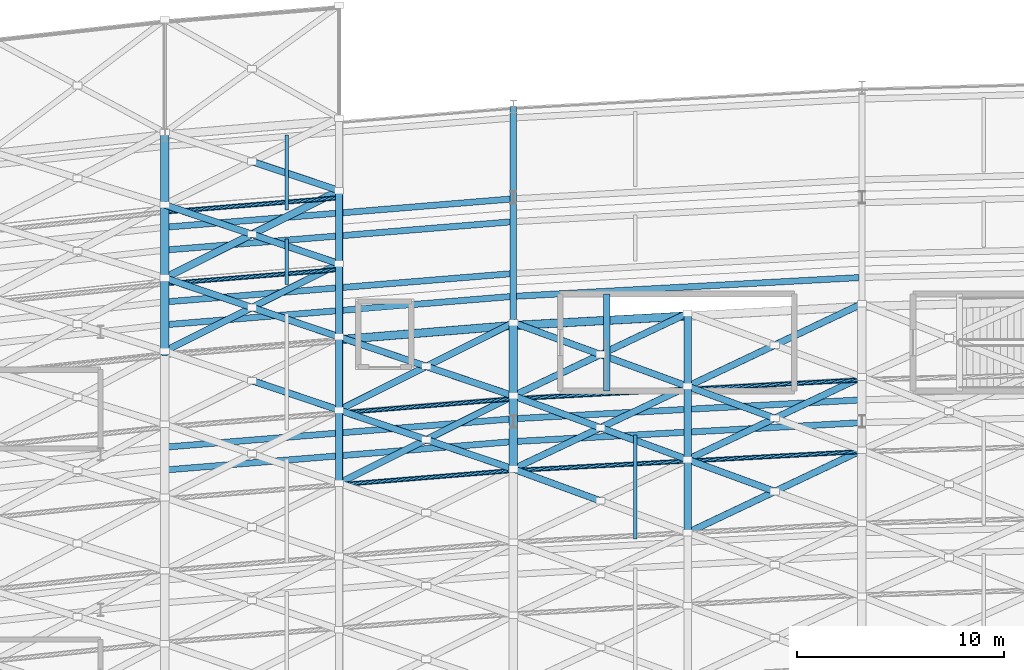
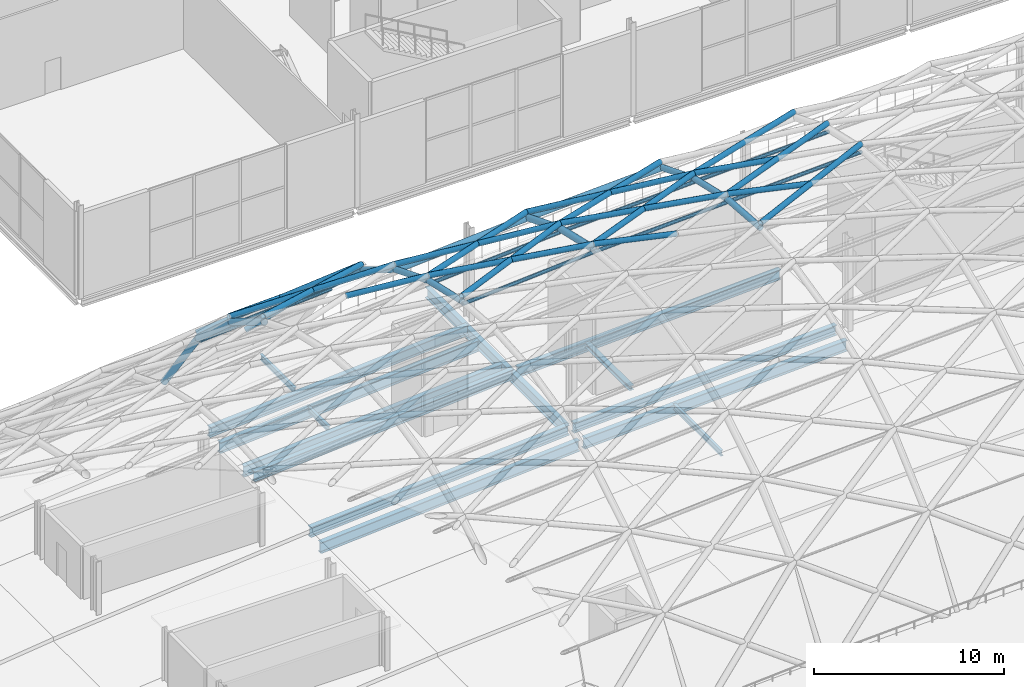
# One storey, part 25 of 100: 48 members, 14 beams.
"""IFC4 building model written with IfcOpenShell, lengths in metres."""

import ifcopenshell
import ifcopenshell.guid

model = None  # the IFC model being written
_history = None  # IfcOwnerHistory: only IFC2X3 demands one
_inside = {}  # id of a spatial element -> (the spatial element, [elements in it])
_under = {}  # id of a project, library or spatial element -> (it, [spatial elements below it])
_declared = {}  # id of a project -> (the project, [libraries it declares])
_typed = {}  # id of a type object -> (the type object, [elements of that type])
_made_of = {}  # id of a material, layer set ... -> (it, [elements and type objects made of it])


def new_model(schema):
    """Start an empty IFC model of exactly this schema.

    Asked for "IFC4X3", IfcOpenShell would pick the latest addendum, in which some entities
    have other attributes; the version numbers below select the first issue.
    IFC2X3 requires an IfcOwnerHistory on every rooted entity: one is made here for all.
    """
    global model, _history
    if schema == "IFC4X3":
        model = ifcopenshell.file(schema_version=(4, 3, 0, 0))
    else:
        model = ifcopenshell.file(schema=schema)
    _inside.clear()
    _under.clear()
    _declared.clear()
    _typed.clear()
    _made_of.clear()
    _history = None
    if model.schema == "IFC2X3":
        org = make("IfcOrganization", Name="unknown")
        user = make(
            "IfcPersonAndOrganization",
            ThePerson=make("IfcPerson", FamilyName="unknown"),
            TheOrganization=org,
        )
        app = make(
            "IfcApplication",
            ApplicationDeveloper=org,
            Version="unknown",
            ApplicationFullName="unknown",
            ApplicationIdentifier="unknown",
        )
        _history = make(
            "IfcOwnerHistory",
            OwningUser=user,
            OwningApplication=app,
            ChangeAction="ADDED",
            CreationDate=0,
        )
    return model


def make(cls, **values):
    """One entity of the class cls with the attributes given. An attribute that is None is left unset."""
    return model.create_entity(
        cls, **{name: value for name, value in values.items() if value is not None}
    )


def rooted(cls, **values):
    """An entity with a GlobalId (a new one), such as an element, a storey or a relation."""
    return make(cls, GlobalId=ifcopenshell.guid.new(), OwnerHistory=_history, **values)


def si_unit(unit_type, name, prefix=None):
    """IfcSIUnit, for example si_unit("LENGTHUNIT", "METRE", prefix="MILLI")."""
    return make("IfcSIUnit", UnitType=unit_type, Prefix=prefix, Name=name)


def assignment(units):
    """IfcUnitAssignment: the units of a project."""
    return None if units is None else make("IfcUnitAssignment", Units=units)


def point(xyz):
    """IfcCartesianPoint."""
    return None if xyz is None else make("IfcCartesianPoint", Coordinates=xyz)


def direction(xyz):
    """IfcDirection."""
    return None if xyz is None else make("IfcDirection", DirectionRatios=xyz)


def frame(location, z_axis=None, x_axis=None):
    """IfcAxis2Placement3D, a coordinate frame: its origin and axes. An axis left out is left unset."""
    return make(
        "IfcAxis2Placement3D",
        Location=point(location),
        Axis=direction(z_axis),
        RefDirection=direction(x_axis),
    )


def frame_2d(location, x_axis=None):
    """IfcAxis2Placement2D, a coordinate frame in the plane: its origin and x axis."""
    return make(
        "IfcAxis2Placement2D", Location=point(location), RefDirection=direction(x_axis)
    )


def origin():
    """The frame at (0, 0, 0) with its axes left unset."""
    return frame((0.0, 0.0, 0.0))


def origin_2d():
    """The frame at (0, 0) in the plane with its x axis left unset."""
    return frame_2d((0.0, 0.0))


def place(relative_to, where):
    """IfcLocalPlacement: puts the frame where relative to a parent placement (None: the world)."""
    return make(
        "IfcLocalPlacement", PlacementRelTo=relative_to, RelativePlacement=where
    )


def context(
    kind, dimensions, precision=None, world=None, true_north=None, identifier=None
):
    """IfcGeometricRepresentationContext, for example the 3D "Model" context."""
    return make(
        "IfcGeometricRepresentationContext",
        ContextIdentifier=identifier,
        ContextType=kind,
        CoordinateSpaceDimension=dimensions,
        Precision=precision,
        WorldCoordinateSystem=world,
        TrueNorth=true_north,
    )


def subcontext(parent, identifier, kind, view, scale=None):
    """IfcGeometricRepresentationSubContext, for example "Body" below "Model"."""
    return make(
        "IfcGeometricRepresentationSubContext",
        ContextIdentifier=identifier,
        ContextType=kind,
        ParentContext=parent,
        TargetScale=scale,
        TargetView=view,
    )


def project(units=None, contexts=None):
    """IfcProject with its units and contexts."""
    return rooted(
        "IfcProject",
        Name="project",
        RepresentationContexts=contexts,
        UnitsInContext=assignment(units),
    )


def spatial(cls, under=None, at=None, **own):
    """A site, building, storey or space (cls), placed at a placement, below another one or the project."""
    s = rooted(cls, ObjectPlacement=at, **own)
    if under is not None:
        _under.setdefault(under.id(), (under, []))[1].append(s)
    return s


def profile(cls, at=None, kind="AREA", **sizes):
    """A parametric profile (cls). Its sizes go by their IFC names, for example OverallWidth=200.0."""
    return make(cls, ProfileType=kind, Position=at, **sizes)


def hollow_circle(**sizes):
    """IfcCircleHollowProfileDef."""
    return profile("IfcCircleHollowProfileDef", **sizes)


def i_section(**sizes):
    """IfcIShapeProfileDef."""
    return profile("IfcIShapeProfileDef", **sizes)


def extrude(swept, where, along, depth):
    """IfcExtrudedAreaSolid: the profile swept, set in the frame where, extruded along a direction by depth."""
    return make(
        "IfcExtrudedAreaSolid",
        SweptArea=swept,
        Position=where,
        ExtrudedDirection=direction(along),
        Depth=depth,
    )


def shape(context_of_items, identifier, shape_type, items):
    """IfcShapeRepresentation: the items that make up one representation, for example the "Body"."""
    return make(
        "IfcShapeRepresentation",
        ContextOfItems=context_of_items,
        RepresentationIdentifier=identifier,
        RepresentationType=shape_type,
        Items=items,
    )


def material(Name=None, Category=None):
    """IfcMaterial."""
    return make("IfcMaterial", Name=Name, Category=Category)


def material_profile(
    of_material, cross_section, Name=None, Category=None, Priority=None
):
    """IfcMaterialProfile: a cross section and its material."""
    return make(
        "IfcMaterialProfile",
        Name=Name,
        Material=of_material,
        Profile=cross_section,
        Priority=Priority,
        Category=Category,
    )


def profile_set(profiles, Name=None, composite=None):
    """IfcMaterialProfileSet."""
    return make(
        "IfcMaterialProfileSet",
        Name=Name,
        MaterialProfiles=profiles,
        CompositeProfile=composite,
    )


def made_of(thing, what):
    """Note that an element or type object is made of a material, layer set ...; save() writes the relation."""
    if what is not None:
        _made_of.setdefault(what.id(), (what, []))[1].append(thing)
    return thing


def type_object(cls, material=None, **own):
    """A type object (cls), such as IfcWallType, which elements share."""
    return made_of(rooted(cls, **own), material)


def element(
    cls,
    number,
    at=None,
    inside=None,
    cuts=None,
    type_object=None,
    material=None,
    context=None,
    identifier="Body",
    shape_type=None,
    held_by="IfcProductDefinitionShape",
    body=None,
    shapes=None,
    **own,
):
    """One element of the class cls, such as IfcWall. Its Tag is "e" and its number.

    at: its placement. inside: the storey or other place that contains it. cuts: it is an
    opening in that element (IfcRelVoidsElement). A single representation is given by context,
    identifier, shape_type and body (its items); several are given by shapes. held_by: the class
    of the entity that holds the representations. save() writes the other relations.
    """
    e = rooted(cls, Tag="e%d" % number, ObjectPlacement=at, **own)
    if body is not None:
        shapes = [shape(context, identifier, shape_type, body)]
    if shapes is not None:
        e.Representation = make(held_by, Representations=shapes)
    if inside is not None:
        _inside.setdefault(inside.id(), (inside, []))[1].append(e)
    if cuts is not None:
        rooted(
            "IfcRelVoidsElement", RelatingBuildingElement=cuts, RelatedOpeningElement=e
        )
    if type_object is not None:
        _typed.setdefault(type_object.id(), (type_object, []))[1].append(e)
    return made_of(e, material)


def aggregate(whole, parts):
    """IfcRelAggregates: a whole, such as a stair, and the parts it consists of."""
    return rooted("IfcRelAggregates", RelatingObject=whole, RelatedObjects=parts)


def save(model, path):
    """Write the relations noted so far, then the file.

    IfcRelAggregates (storeys below a building ...), IfcRelContainedInSpatialStructure (elements
    in a storey), IfcRelDefinesByType, IfcRelAssociatesMaterial and IfcRelDeclares: one each for
    every whole, place, type object, material and project.
    """
    for whole, parts in _under.values():
        aggregate(whole, parts)
    for where, things in _inside.values():
        rooted(
            "IfcRelContainedInSpatialStructure",
            RelatedElements=things,
            RelatingStructure=where,
        )
    for kind, things in _typed.values():
        rooted("IfcRelDefinesByType", RelatedObjects=things, RelatingType=kind)
    for what, things in _made_of.values():
        rooted("IfcRelAssociatesMaterial", RelatedObjects=things, RelatingMaterial=what)
    for by, libraries in _declared.values():
        rooted("IfcRelDeclares", RelatingContext=by, RelatedDefinitions=libraries)
    model.write(path)


model = new_model("IFC4")

# Units and contexts
model_context = context("Model", 3, precision=1e-05, world=origin(), true_north=direction((0.0, 1.0)))
body_context = subcontext(model_context, "Body", "Model", "MODEL_VIEW")
ifc_project = project(units=[si_unit("LENGTHUNIT", "METRE"), si_unit("AREAUNIT", "SQUARE_METRE"), si_unit("VOLUMEUNIT", "CUBIC_METRE"), si_unit("PLANEANGLEUNIT", "RADIAN"), si_unit("MASSUNIT", "GRAM", prefix="KILO")], contexts=[model_context])

# Site, building, storey
site_placement = place(None, origin())
site = spatial("IfcSite", under=ifc_project, at=site_placement, CompositionType="ELEMENT")
building_placement = place(site_placement, origin())
building = spatial("IfcBuilding", under=site, at=building_placement, Name="Kimbaza Rail Terminus", CompositionType="ELEMENT")
storey_placement = place(building_placement, frame((0.0, 0.0, 10.800048828125)))
storey = spatial("IfcBuildingStorey", under=building, at=storey_placement, Name="L02", CompositionType="ELEMENT", Elevation=10.800048828125)

# Beams
ifc_material_1 = material(Name="Steel S355", Category="steel")
ifc_material_profile_1 = material_profile(ifc_material_1, i_section(OverallWidth=0.300048828125, OverallDepth=0.2900390625, WebThickness=0.008544921875, FlangeThickness=0.013916015625, FilletRadius=0.027099609375, at=origin_2d()), Name="HEA 300")
ifc_profile_set_1 = profile_set([ifc_material_profile_1], Name="Steel S355")
beam_type_1 = type_object("IfcBeamType", Name="STR-BM-HEA300", PredefinedType="SPANDREL", material=ifc_profile_set_1)
beam_1_placement = place(storey_placement, frame((76.5, 81.659912109375, -0.405029296875), z_axis=(0.0, 1.0, 0.0), x_axis=(-1.0, 0.0, 0.0)))
element("IfcBeam", 1, at=beam_1_placement, inside=storey, type_object=beam_type_1, Name="Platform West Concourse Stair Landing Trimmer Beam L02", PredefinedType="SPANDREL", context=body_context, shape_type="SweptSolid", body=[
    extrude(i_section(OverallWidth=0.300048828125, OverallDepth=0.2900390625, WebThickness=0.008544921875, FlangeThickness=0.013916015625, FilletRadius=0.027099609375, at=origin_2d()), origin(), (0.0, 0.0, 1.0), 4.68017578125),
])
ifc_material_2 = material(Name="Steel S355", Category="steel")
ifc_material_profile_2 = material_profile(ifc_material_2, i_section(OverallWidth=0.300048828125, OverallDepth=0.64990234375, WebThickness=0.01611328125, FlangeThickness=0.031005859375, FilletRadius=0.027099609375, at=origin_2d()), Name="HEB 650")
ifc_profile_set_2 = profile_set([ifc_material_profile_2], Name="Steel S355")
beam_type_2 = type_object("IfcBeamType", Name="STR-BM-HEB650", PredefinedType="USERDEFINED", material=ifc_profile_set_2)
for number, where, z_axis, x_axis, name in (
    (2, (55.344482421875, 78.96728515625, -0.5849609375), (0.996690271877, 0.081292693071, 0.0), (-0.081292693071, 0.996690271877, 0.0), "Viaduct Chorded Girder P3 Bay 03"),
    (3, (55.344482421875, 84.8671875, -0.5849609375), (0.996689077675, 0.081307333267, 0.0), (-0.081307333267, 0.996689077675, 0.0), "Viaduct Chorded Girder P3 Bay 03"),
    (4, (55.344482421875, 89.567138671875, -0.5849609375), (0.996689077675, 0.081307333267, 0.0), (-0.081307333267, 0.996689077675, 0.0), "Viaduct Chorded Girder P4 Bay 03"),
):
    element("IfcBeam", number, at=place(storey_placement, frame(where, z_axis=z_axis, x_axis=x_axis)), inside=storey, type_object=beam_type_2, Name=name, ObjectType="GIRDER", PredefinedType="USERDEFINED", context=body_context, shape_type="SweptSolid", body=[
        extrude(i_section(OverallWidth=0.300048828125, OverallDepth=0.64990234375, WebThickness=0.01611328125, FlangeThickness=0.031005859375, FilletRadius=0.027099609375, at=origin_2d()), origin(), (0.0, 0.0, 1.0), 16.56591796875),
    ])
for number, where, z_axis, x_axis, name in (
    (5, (72.144775390625, 80.333740234375, -0.5849609375), (0.998530722194, 0.054188530475, 0.0), (-0.054188530475, 0.998530722194, 0.0), "Viaduct Chorded Girder P3 Bay 04"),
    (6, (72.144775390625, 86.233642578125, -0.5849609375), (0.998529923153, 0.054203252368, 0.0), (-0.054203252368, 0.998529923153, 0.0), "Viaduct Chorded Girder P3 Bay 04"),
):
    element("IfcBeam", number, at=place(storey_placement, frame(where, z_axis=z_axis, x_axis=x_axis)), inside=storey, type_object=beam_type_2, Name=name, ObjectType="GIRDER", PredefinedType="USERDEFINED", context=body_context, shape_type="SweptSolid", body=[
        extrude(i_section(OverallWidth=0.300048828125, OverallDepth=0.64990234375, WebThickness=0.01611328125, FlangeThickness=0.031005859375, FilletRadius=0.027099609375, at=origin_2d()), origin(), (0.0, 0.0, 1.0), 16.534912109375),
    ])
ifc_material_3 = material(Name="Steel S355", Category="steel")
ifc_material_profile_3 = material_profile(ifc_material_3, i_section(OverallWidth=0.300048828125, OverallDepth=0.699951171875, WebThickness=0.01708984375, FlangeThickness=0.031982421875, FilletRadius=0.027099609375, at=origin_2d()), Name="HEB 700")
ifc_profile_set_3 = profile_set([ifc_material_profile_3], Name="Steel S355")
beam_type_3 = type_object("IfcBeamType", Name="STR-BM-HEB700", PredefinedType="USERDEFINED", material=ifc_profile_set_3)
beam_2_placement = place(storey_placement, frame((72.0, 80.697998046875, -0.920166015625), z_axis=(0.0, 1.0, 0.0), x_axis=(-1.0, 0.0, 0.0)))
element("IfcBeam", 7, at=beam_2_placement, inside=storey, type_object=beam_type_3, Name="Viaduct North Crosshead Girder VP-04", ObjectType="GIRDER", PredefinedType="USERDEFINED", context=body_context, shape_type="SweptSolid", body=[
    extrude(i_section(OverallWidth=0.300048828125, OverallDepth=0.699951171875, WebThickness=0.01708984375, FlangeThickness=0.031982421875, FilletRadius=0.027099609375, at=origin_2d()), origin(), (0.0, 0.0, 1.0), 14.677734375),
])
for number, where, z_axis, x_axis, name in (
    (8, (55.344482421875, 77.8671875, -0.920166015625), (0.996689077675, 0.081307333267, 0.0), (-0.081307333267, 0.996689077675, 0.0), "Viaduct Chorded Girder TR34 Bay 03"),
    (9, (55.344482421875, 85.96728515625, -0.920166015625), (0.996690271877, 0.081292693071, 0.0), (-0.081292693071, 0.996690271877, 0.0), "Viaduct Chorded Girder TR56 Bay 03"),
    (10, (55.344482421875, 88.46728515625, -0.920166015625), (0.996690271877, 0.081292693071, 0.0), (-0.081292693071, 0.996690271877, 0.0), "Viaduct Chorded Girder TR56 Bay 03"),
):
    element("IfcBeam", number, at=place(storey_placement, frame(where, z_axis=z_axis, x_axis=x_axis)), inside=storey, type_object=beam_type_3, Name=name, ObjectType="GIRDER", PredefinedType="USERDEFINED", context=body_context, shape_type="SweptSolid", body=[
        extrude(i_section(OverallWidth=0.300048828125, OverallDepth=0.699951171875, WebThickness=0.01708984375, FlangeThickness=0.031982421875, FilletRadius=0.027099609375, at=origin_2d()), origin(), (0.0, 0.0, 1.0), 16.56591796875),
    ])
beam_3_placement = place(storey_placement, frame((72.144775390625, 79.233642578125, -0.920166015625), z_axis=(0.998529923153, 0.054203252368, 0.0), x_axis=(-0.054203252368, 0.998529923153, 0.0)))
element("IfcBeam", 11, at=beam_3_placement, inside=storey, type_object=beam_type_3, Name="Viaduct Chorded Girder TR34 Bay 04", ObjectType="GIRDER", PredefinedType="USERDEFINED", context=body_context, shape_type="SweptSolid", body=[
    extrude(i_section(OverallWidth=0.300048828125, OverallDepth=0.699951171875, WebThickness=0.01708984375, FlangeThickness=0.031982421875, FilletRadius=0.027099609375, at=origin_2d()), origin(), (0.0, 0.0, 1.0), 16.534912109375),
])
ifc_material_4 = material(Name="Steel S355", Category="steel")
ifc_material_profile_4 = material_profile(ifc_material_4, i_section(OverallWidth=0.169921875, OverallDepth=0.360107421875, WebThickness=0.008056640625, FlangeThickness=0.0126953125, FilletRadius=0.01806640625, at=origin_2d()), Name="IPE 360")
ifc_profile_set_4 = profile_set([ifc_material_profile_4], Name="Steel S355")
beam_type_4 = type_object("IfcBeamType", Name="STR-BM-IPE360", PredefinedType="JOIST", material=ifc_profile_set_4)
beam_4_placement = place(storey_placement, frame((61.080078125, 86.78564453125, -0.75), z_axis=(0.0, 1.0, 0.0), x_axis=(-1.0, 0.0, 0.0)))
element("IfcBeam", 12, at=beam_4_placement, inside=storey, type_object=beam_type_4, Name="Viaduct Diaphragm TR56 Bay 03", PredefinedType="JOIST", context=body_context, shape_type="SweptSolid", body=[
    extrude(i_section(OverallWidth=0.169921875, OverallDepth=0.360107421875, WebThickness=0.008056640625, FlangeThickness=0.0126953125, FilletRadius=0.01806640625, at=origin_2d()), origin(), (0.0, 0.0, 1.0), 2.2099609375),
])
beam_5_placement = place(storey_placement, frame((61.080078125, 90.385498046875, -0.43994140625), z_axis=(0.0, 1.0, 0.0), x_axis=(-1.0, 0.0, 0.0)))
element("IfcBeam", 13, at=beam_5_placement, inside=storey, type_object=beam_type_4, Name="Viaduct Diaphragm P4 Bay 03", PredefinedType="JOIST", context=body_context, shape_type="SweptSolid", body=[
    extrude(i_section(OverallWidth=0.169921875, OverallDepth=0.360107421875, WebThickness=0.008056640625, FlangeThickness=0.0126953125, FilletRadius=0.01806640625, at=origin_2d()), origin(), (0.0, 0.0, 1.0), 3.610107421875),
])
beam_6_placement = place(storey_placement, frame((77.8798828125, 74.526611328125, -0.75), z_axis=(0.0, 1.0, 0.0), x_axis=(-1.0, 0.0, 0.0)))
element("IfcBeam", 14, at=beam_6_placement, inside=storey, type_object=beam_type_4, Name="Viaduct Diaphragm TR34 Bay 04", PredefinedType="JOIST", context=body_context, shape_type="SweptSolid", body=[
    extrude(i_section(OverallWidth=0.169921875, OverallDepth=0.360107421875, WebThickness=0.008056640625, FlangeThickness=0.0126953125, FilletRadius=0.01806640625, at=origin_2d()), origin(), (0.0, 0.0, 1.0), 5.010009765625),
])

# Members
ifc_material_5 = material(Name="White painted steel S355", Category="steel")
ifc_material_profile_5 = material_profile(ifc_material_5, hollow_circle(Radius=0.109619140625, WallThickness=0.008056640625, at=origin_2d()), Name="CHS 219.1x8")
ifc_profile_set_5 = profile_set([ifc_material_profile_5], Name="White painted steel S355")
member_type_1 = type_object("IfcMemberType", Name="STR-MB-CHS219", PredefinedType="PURLIN", material=ifc_profile_set_5)
for number, where, z_axis, x_axis, name in (
    (15, (55.199951171875, 86.83349609375, 7.9716796875), (0.996688689454, 0.081312092054, 0.0), (-0.081312092054, 0.996688689454, 0.0), "Vault lattice longitudinal purlin VR-04-VA11"),
    (16, (55.199951171875, 90.29052734375, 4.85205078125), (0.996688689454, 0.081312092054, 0.0), (-0.081312092054, 0.996688689454, 0.0), "Vault lattice longitudinal purlin VR-04-VA12"),
):
    element("IfcMember", number, at=place(storey_placement, frame(where, z_axis=z_axis, x_axis=x_axis)), inside=storey, type_object=member_type_1, Name=name, PredefinedType="PURLIN", context=body_context, shape_type="SweptSolid", body=[
        extrude(hollow_circle(Radius=0.109619140625, WallThickness=0.008056640625, at=origin_2d()), origin(), (0.0, 0.0, 1.0), 8.427978515625),
    ])
for number, where, z_axis, x_axis, name in (
    (17, (63.60009765625, 77.147705078125, 12.25244140625), (0.996690845265, 0.081285662728, 0.0), (-0.081285662728, 0.996690845265, 0.0), "Vault lattice longitudinal purlin VR-05-VA08"),
    (18, (63.60009765625, 80.604736328125, 11.462158203125), (0.996690845265, 0.081285662728, 0.0), (-0.081285662728, 0.996690845265, 0.0), "Vault lattice longitudinal purlin VR-05-VA09"),
):
    element("IfcMember", number, at=place(storey_placement, frame(where, z_axis=z_axis, x_axis=x_axis)), inside=storey, type_object=member_type_1, Name=name, PredefinedType="PURLIN", context=body_context, shape_type="SweptSolid", body=[
        extrude(hollow_circle(Radius=0.109619140625, WallThickness=0.008056640625, at=origin_2d()), origin(), (0.0, 0.0, 1.0), 8.427734375),
    ])
for number, where, z_axis, x_axis, name in (
    (19, (72.0, 77.832763671875, 12.25244140625), (0.998529393298, 0.054213012459, 0.0), (-0.054213012459, 0.998529393298, 0.0), "Vault lattice longitudinal purlin VR-06-VA08"),
    (20, (72.0, 81.289794921875, 11.462158203125), (0.998529393298, 0.054213012459, 0.0), (-0.054213012459, 0.998529393298, 0.0), "Vault lattice longitudinal purlin VR-06-VA09"),
):
    element("IfcMember", number, at=place(storey_placement, frame(where, z_axis=z_axis, x_axis=x_axis)), inside=storey, type_object=member_type_1, Name=name, PredefinedType="PURLIN", context=body_context, shape_type="SweptSolid", body=[
        extrude(hollow_circle(Radius=0.109619140625, WallThickness=0.008056640625, at=origin_2d()), origin(), (0.0, 0.0, 1.0), 8.412353515625),
    ])
for number, where, z_axis, x_axis, name in (
    (21, (80.39990234375, 78.288818359375, 12.25244140625), (0.998531049137, 0.054182505558, 0.0), (-0.054182505558, 0.998531049137, 0.0), "Vault lattice longitudinal purlin VR-07-VA08"),
    (22, (80.39990234375, 81.745849609375, 11.462158203125), (0.998531049137, 0.054182505558, 0.0), (-0.054182505558, 0.998531049137, 0.0), "Vault lattice longitudinal purlin VR-07-VA09"),
):
    element("IfcMember", number, at=place(storey_placement, frame(where, z_axis=z_axis, x_axis=x_axis)), inside=storey, type_object=member_type_1, Name=name, PredefinedType="PURLIN", context=body_context, shape_type="SweptSolid", body=[
        extrude(hollow_circle(Radius=0.109619140625, WallThickness=0.008056640625, at=origin_2d()), origin(), (0.0, 0.0, 1.0), 8.41259765625),
    ])
ifc_material_6 = material(Name="White painted steel S355", Category="steel")
ifc_material_profile_6 = material_profile(ifc_material_6, hollow_circle(Radius=0.161865234375, WallThickness=0.010009765625, at=origin_2d()), Name="CHS 323.9x10")
ifc_profile_set_6 = profile_set([ifc_material_profile_6], Name="White painted steel S355")
member_type_2 = type_object("IfcMemberType", Name="STR-MB-CHS323", PredefinedType="STRUT", material=ifc_profile_set_6)
member_1_placement = place(storey_placement, frame((63.60009765625, 80.743896484375, 11.9111328125), z_axis=(-0.935494575651, 0.316471659514, -0.157148298281), x_axis=(-0.320453286452, -0.947264319608, 0.0)))
element("IfcMember", 23, at=member_1_placement, inside=storey, type_object=member_type_2, Name="Vault lattice diagonal B1 VR-04-VA09", PredefinedType="STRUT", context=body_context, shape_type="SweptSolid", body=[
    extrude(hollow_circle(Radius=0.161865234375, WallThickness=0.010009765625, at=origin_2d()), origin(), (0.0, 0.0, 1.0), 4.48974609375),
])
member_2_placement = place(storey_placement, frame((55.199951171875, 83.58544921875, 10.499755859375), z_axis=(0.87141702085, 0.436936857142, -0.222976587658), x_axis=(-0.448221367873, 0.893922594737, 0.0)))
element("IfcMember", 24, at=member_2_placement, inside=storey, type_object=member_type_2, Name="Vault lattice diagonal A VR-04-VA10", PredefinedType="STRUT", context=body_context, shape_type="SweptSolid", body=[
    extrude(hollow_circle(Radius=0.161865234375, WallThickness=0.010009765625, at=origin_2d()), origin(), (0.0, 0.0, 1.0), 9.6396484375),
])
member_3_placement = place(storey_placement, frame((63.60009765625, 84.2705078125, 10.499755859375), z_axis=(-0.920608842005, 0.311435913768, -0.235556854365), x_axis=(-0.320453286452, -0.947264319608, 0.0)))
element("IfcMember", 25, at=member_3_placement, inside=storey, type_object=member_type_2, Name="Vault lattice diagonal B1 VR-04-VA10", PredefinedType="STRUT", context=body_context, shape_type="SweptSolid", body=[
    extrude(hollow_circle(Radius=0.161865234375, WallThickness=0.010009765625, at=origin_2d()), origin(), (0.0, 0.0, 1.0), 4.5625),
])
member_4_placement = place(storey_placement, frame((59.39990234375, 85.69140625, 9.425048828125), z_axis=(-0.920616024737, 0.311402932509, -0.235572385101), x_axis=(-0.320420591372, -0.94727537951, 0.0)))
element("IfcMember", 26, at=member_4_placement, inside=storey, type_object=member_type_2, Name="Vault lattice diagonal B2 VR-04-VA10", PredefinedType="STRUT", context=body_context, shape_type="SweptSolid", body=[
    extrude(hollow_circle(Radius=0.161865234375, WallThickness=0.010009765625, at=origin_2d()), origin(), (0.0, 0.0, 1.0), 4.56201171875),
])
member_5_placement = place(storey_placement, frame((63.60009765625, 87.79736328125, 8.350341796875), z_axis=(-0.891599211266, 0.301570321458, -0.337796074113), x_axis=(-0.320403878643, -0.947281032509, 0.0)))
element("IfcMember", 27, at=member_5_placement, inside=storey, type_object=member_type_2, Name="Vault lattice diagonal B1 VR-04-VA11", PredefinedType="STRUT", context=body_context, shape_type="SweptSolid", body=[
    extrude(hollow_circle(Radius=0.161865234375, WallThickness=0.010009765625, at=origin_2d()), origin(), (0.0, 0.0, 1.0), 4.7109375),
])
member_6_placement = place(storey_placement, frame((59.39990234375, 89.218017578125, 6.759033203125), z_axis=(-0.891588583746, 0.301584256747, -0.337811683361), x_axis=(-0.320420591372, -0.94727537951, 0.0)))
element("IfcMember", 28, at=member_6_placement, inside=storey, type_object=member_type_2, Name="Vault lattice diagonal B2 VR-04-VA11", PredefinedType="STRUT", context=body_context, shape_type="SweptSolid", body=[
    extrude(hollow_circle(Radius=0.161865234375, WallThickness=0.010009765625, at=origin_2d()), origin(), (0.0, 0.0, 1.0), 4.710693359375),
])
member_7_placement = place(storey_placement, frame((63.60009765625, 91.323974609375, 5.167724609375), z_axis=(-0.821815260237, 0.274479800356, -0.499279998837), x_axis=(-0.316790059678, -0.94849568164, 0.0)))
element("IfcMember", 29, at=member_7_placement, inside=storey, type_object=member_type_2, Name="Vault lattice diagonal B1 VR-04-VA12", PredefinedType="STRUT", context=body_context, shape_type="SweptSolid", body=[
    extrude(hollow_circle(Radius=0.161865234375, WallThickness=0.010009765625, at=origin_2d()), origin(), (0.0, 0.0, 1.0), 5.11083984375),
])
member_8_placement = place(storey_placement, frame((63.60009765625, 77.21728515625, 12.71728515625), z_axis=(0.890645786714, 0.446591324548, -0.085476730446), x_axis=(-0.448231777961, 0.893917374944, 0.0)))
element("IfcMember", 30, at=member_8_placement, inside=storey, type_object=member_type_2, Name="Vault lattice diagonal A VR-05-VA08", PredefinedType="STRUT", context=body_context, shape_type="SweptSolid", body=[
    extrude(hollow_circle(Radius=0.161865234375, WallThickness=0.010009765625, at=origin_2d()), origin(), (0.0, 0.0, 1.0), 9.43115234375),
])
member_9_placement = place(storey_placement, frame((72.0, 77.90234375, 12.71728515625), z_axis=(-0.943368395214, 0.319153872007, -0.090536605272), x_axis=(-0.320470001168, -0.947258664965, 0.0)))
element("IfcMember", 31, at=member_9_placement, inside=storey, type_object=member_type_2, Name="Vault lattice diagonal B1 VR-05-VA08", PredefinedType="STRUT", context=body_context, shape_type="SweptSolid", body=[
    extrude(hollow_circle(Radius=0.161865234375, WallThickness=0.010009765625, at=origin_2d()), origin(), (0.0, 0.0, 1.0), 4.4521484375),
])
member_10_placement = place(storey_placement, frame((67.800048828125, 79.3232421875, 12.314208984375), z_axis=(-0.943384904666, 0.319104618976, -0.090538189711), x_axis=(-0.320420591372, -0.94727537951, 0.0)))
element("IfcMember", 32, at=member_10_placement, inside=storey, type_object=member_type_2, Name="Vault lattice diagonal B2 VR-05-VA08", PredefinedType="STRUT", context=body_context, shape_type="SweptSolid", body=[
    extrude(hollow_circle(Radius=0.161865234375, WallThickness=0.010009765625, at=origin_2d()), origin(), (0.0, 0.0, 1.0), 4.451904296875),
])
member_11_placement = place(storey_placement, frame((63.60009765625, 80.743896484375, 11.9111328125), z_axis=(0.884001604443, 0.443259770966, -0.148532618592), x_axis=(-0.448231777961, 0.893917374944, 0.0)))
element("IfcMember", 33, at=member_11_placement, inside=storey, type_object=member_type_2, Name="Vault lattice diagonal A VR-05-VA09", PredefinedType="STRUT", context=body_context, shape_type="SweptSolid", body=[
    extrude(hollow_circle(Radius=0.161865234375, WallThickness=0.010009765625, at=origin_2d()), origin(), (0.0, 0.0, 1.0), 9.502197265625),
])
for number, where, z_axis, x_axis, name in (
    (34, (72.0, 81.42919921875, 11.9111328125), (-0.93550388537, 0.316438825145, -0.157158997193), (-0.320420591372, -0.94727537951, 0.0), "Vault lattice diagonal B1 VR-05-VA09"),
    (35, (67.800048828125, 82.849853515625, 11.20556640625), (-0.935495888946, 0.316436120315, -0.157212033654), (-0.320420591372, -0.94727537951, 0.0), "Vault lattice diagonal B2 VR-05-VA09"),
):
    element("IfcMember", number, at=place(storey_placement, frame(where, z_axis=z_axis, x_axis=x_axis)), inside=storey, type_object=member_type_2, Name=name, PredefinedType="STRUT", context=body_context, shape_type="SweptSolid", body=[
        extrude(hollow_circle(Radius=0.161865234375, WallThickness=0.010009765625, at=origin_2d()), origin(), (0.0, 0.0, 1.0), 4.489501953125),
    ])
member_12_placement = place(storey_placement, frame((76.199951171875, 76.3671875, 12.8486328125), z_axis=(-0.938819736816, 0.343155176719, -0.029360287067), x_axis=(-0.343303176831, -0.939224642339, 0.0)))
element("IfcMember", 36, at=member_12_placement, inside=storey, type_object=member_type_2, Name="Vault lattice diagonal B2 VR-06-VA07", PredefinedType="STRUT", context=body_context, shape_type="SweptSolid", body=[
    extrude(hollow_circle(Radius=0.161865234375, WallThickness=0.010009765625, at=origin_2d()), origin(), (0.0, 0.0, 1.0), 4.4736328125),
])
member_13_placement = place(storey_placement, frame((72.0, 77.90234375, 12.71728515625), z_axis=(0.900202656216, 0.42681526277, -0.086393918817), x_axis=(-0.428417090475, 0.903581095745, 0.0)))
element("IfcMember", 37, at=member_13_placement, inside=storey, type_object=member_type_2, Name="Vault lattice diagonal A VR-06-VA08", PredefinedType="STRUT", context=body_context, shape_type="SweptSolid", body=[
    extrude(hollow_circle(Radius=0.161865234375, WallThickness=0.010009765625, at=origin_2d()), origin(), (0.0, 0.0, 1.0), 9.3310546875),
])
for number, where, z_axis, x_axis, name in (
    (38, (80.39990234375, 78.3583984375, 12.71728515625), (-0.935414732903, 0.34196496281, -0.089773279313), (-0.343351337448, -0.939207037385, 0.0), "Vault lattice diagonal B1 VR-06-VA08"),
    (39, (76.199951171875, 79.893798828125, 12.314208984375), (-0.935414732903, 0.34196496281, -0.089773279313), (-0.343351337448, -0.939207037385, 0.0), "Vault lattice diagonal B2 VR-06-VA08"),
):
    element("IfcMember", number, at=place(storey_placement, frame(where, z_axis=z_axis, x_axis=x_axis)), inside=storey, type_object=member_type_2, Name=name, PredefinedType="STRUT", context=body_context, shape_type="SweptSolid", body=[
        extrude(hollow_circle(Radius=0.161865234375, WallThickness=0.010009765625, at=origin_2d()), origin(), (0.0, 0.0, 1.0), 4.489990234375),
    ])
member_14_placement = place(storey_placement, frame((72.0, 81.42919921875, 11.9111328125), z_axis=(0.89335376548, 0.423542016582, -0.150103996926), x_axis=(-0.428395648018, 0.903591261998, 0.0)))
element("IfcMember", 40, at=member_14_placement, inside=storey, type_object=member_type_2, Name="Vault lattice diagonal A VR-06-VA09", PredefinedType="STRUT", context=body_context, shape_type="SweptSolid", body=[
    extrude(hollow_circle(Radius=0.161865234375, WallThickness=0.010009765625, at=origin_2d()), origin(), (0.0, 0.0, 1.0), 9.402587890625),
])
for number, where, z_axis, x_axis, name in (
    (41, (80.39990234375, 81.885009765625, 11.9111328125), (-0.927730163027, 0.339155670248, -0.155853058836), (-0.343351337448, -0.939207037385, 0.0), "Vault lattice diagonal B1 VR-06-VA09"),
    (42, (76.199951171875, 83.42041015625, 11.20556640625), (-0.927722364292, 0.33915281922, -0.155905676636), (-0.343351337448, -0.939207037385, 0.0), "Vault lattice diagonal B2 VR-06-VA09"),
):
    element("IfcMember", number, at=place(storey_placement, frame(where, z_axis=z_axis, x_axis=x_axis)), inside=storey, type_object=member_type_2, Name=name, PredefinedType="STRUT", context=body_context, shape_type="SweptSolid", body=[
        extrude(hollow_circle(Radius=0.161865234375, WallThickness=0.010009765625, at=origin_2d()), origin(), (0.0, 0.0, 1.0), 4.527099609375),
    ])
member_15_placement = place(storey_placement, frame((80.39990234375, 74.831787109375, 12.97998046875), z_axis=(0.903235532899, 0.428214549732, -0.028246619391), x_axis=(-0.42838548212, 0.903596081614, 0.0)))
element("IfcMember", 43, at=member_15_placement, inside=storey, type_object=member_type_2, Name="Vault lattice diagonal A VR-07-VA07", PredefinedType="STRUT", context=body_context, shape_type="SweptSolid", body=[
    extrude(hollow_circle(Radius=0.161865234375, WallThickness=0.010009765625, at=origin_2d()), origin(), (0.0, 0.0, 1.0), 9.300048828125),
])
member_16_placement = place(storey_placement, frame((84.60009765625, 76.822998046875, 12.8486328125), z_axis=(-0.938808629118, 0.343185739858, -0.029358233112), x_axis=(-0.343333732431, -0.939213473165, 0.0)))
element("IfcMember", 44, at=member_16_placement, inside=storey, type_object=member_type_2, Name="Vault lattice diagonal B2 VR-07-VA07", PredefinedType="STRUT", context=body_context, shape_type="SweptSolid", body=[
    extrude(hollow_circle(Radius=0.161865234375, WallThickness=0.010009765625, at=origin_2d()), origin(), (0.0, 0.0, 1.0), 4.473876953125),
])
member_17_placement = place(storey_placement, frame((80.39990234375, 78.3583984375, 12.71728515625), z_axis=(0.900207617678, 0.426805210195, -0.086391884023), x_axis=(-0.428406924297, 0.90358591579, 0.0)))
element("IfcMember", 45, at=member_17_placement, inside=storey, type_object=member_type_2, Name="Vault lattice diagonal A VR-07-VA08", PredefinedType="STRUT", context=body_context, shape_type="SweptSolid", body=[
    extrude(hollow_circle(Radius=0.161865234375, WallThickness=0.010009765625, at=origin_2d()), origin(), (0.0, 0.0, 1.0), 9.331298828125),
])
member_18_placement = place(storey_placement, frame((84.60009765625, 80.349609375, 12.314208984375), z_axis=(-0.935421529232, 0.341947570178, -0.089768713367), x_axis=(-0.343333732431, -0.939213473165, 0.0)))
element("IfcMember", 46, at=member_18_placement, inside=storey, type_object=member_type_2, Name="Vault lattice diagonal B2 VR-07-VA08", PredefinedType="STRUT", context=body_context, shape_type="SweptSolid", body=[
    extrude(hollow_circle(Radius=0.161865234375, WallThickness=0.010009765625, at=origin_2d()), origin(), (0.0, 0.0, 1.0), 4.490234375),
])
member_19_placement = place(storey_placement, frame((80.39990234375, 81.885009765625, 11.9111328125), z_axis=(0.893349183923, 0.42355349892, -0.150098864541), x_axis=(-0.428406924297, 0.90358591579, 0.0)))
element("IfcMember", 47, at=member_19_placement, inside=storey, type_object=member_type_2, Name="Vault lattice diagonal A VR-07-VA09", PredefinedType="STRUT", context=body_context, shape_type="SweptSolid", body=[
    extrude(hollow_circle(Radius=0.161865234375, WallThickness=0.010009765625, at=origin_2d()), origin(), (0.0, 0.0, 1.0), 9.403076171875),
])
ifc_material_7 = material(Name="White painted steel S355", Category="steel")
ifc_material_profile_7 = material_profile(ifc_material_7, hollow_circle(Radius=0.177734375, WallThickness=0.012451171875, at=origin_2d()), Name="CHS 355.6x12.5")
ifc_profile_set_7 = profile_set([ifc_material_profile_7], Name="White painted steel S355")
member_type_3 = type_object("IfcMemberType", Name="STR-MB-CHS355", PredefinedType="CHORD", material=ifc_profile_set_7)
member_20_placement = place(storey_placement, frame((63.60009765625, 77.1728515625, 12.420654296875), z_axis=(0.0, 0.974845354939, -0.22288233208), x_axis=(-1.0, 0.0, 0.0)))
element("IfcMember", 48, at=member_20_placement, inside=storey, type_object=member_type_3, Name="Vault lattice arch chord VR-05 seg 9", PredefinedType="CHORD", context=body_context, shape_type="SweptSolid", body=[
    extrude(hollow_circle(Radius=0.177734375, WallThickness=0.012451171875, at=origin_2d()), origin(), (0.0, 0.0, 1.0), 3.572021484375),
])
member_21_placement = place(storey_placement, frame((63.60009765625, 80.655029296875, 11.62451171875), z_axis=(0.0, 0.928413829694, -0.37154779078), x_axis=(-1.0, 0.0, 0.0)))
element("IfcMember", 49, at=member_21_placement, inside=storey, type_object=member_type_3, Name="Vault lattice arch chord VR-05 seg 10", PredefinedType="CHORD", context=body_context, shape_type="SweptSolid", body=[
    extrude(hollow_circle(Radius=0.177734375, WallThickness=0.012451171875, at=origin_2d()), origin(), (0.0, 0.0, 1.0), 3.750732421875),
])
member_22_placement = place(storey_placement, frame((63.60009765625, 84.13720703125, 10.23095703125), z_axis=(0.0, 0.853901304322, -0.520434974302), x_axis=(-1.0, 0.0, 0.0)))
element("IfcMember", 50, at=member_22_placement, inside=storey, type_object=member_type_3, Name="Vault lattice arch chord VR-05 seg 11", PredefinedType="CHORD", context=body_context, shape_type="SweptSolid", body=[
    extrude(hollow_circle(Radius=0.177734375, WallThickness=0.012451171875, at=origin_2d()), origin(), (0.0, 0.0, 1.0), 4.077880859375),
])
member_23_placement = place(storey_placement, frame((63.60009765625, 87.619384765625, 8.108642578125), z_axis=(0.0, 0.742403219767, -0.669953326195), x_axis=(-1.0, 0.0, 0.0)))
element("IfcMember", 51, at=member_23_placement, inside=storey, type_object=member_type_3, Name="Vault lattice arch chord VR-05 seg 12", PredefinedType="CHORD", context=body_context, shape_type="SweptSolid", body=[
    extrude(hollow_circle(Radius=0.177734375, WallThickness=0.012451171875, at=origin_2d()), origin(), (0.0, 0.0, 1.0), 4.690673828125),
])
member_24_placement = place(storey_placement, frame((80.39990234375, 74.831787109375, 12.679931640625), z_axis=(0.0, 0.997239447362, -0.074252842537), x_axis=(-1.0, 0.0, 0.0)))
element("IfcMember", 52, at=member_24_placement, inside=storey, type_object=member_type_3, Name="Vault lattice arch chord VR-07 seg 8", PredefinedType="CHORD", context=body_context, shape_type="SweptSolid", body=[
    extrude(hollow_circle(Radius=0.177734375, WallThickness=0.012451171875, at=origin_2d()), origin(), (0.0, 0.0, 1.0), 3.49169921875),
])
member_25_placement = place(storey_placement, frame((80.39990234375, 78.31396484375, 12.420654296875), z_axis=(0.0, 0.974845354939, -0.22288233208), x_axis=(-1.0, 0.0, 0.0)))
element("IfcMember", 53, at=member_25_placement, inside=storey, type_object=member_type_3, Name="Vault lattice arch chord VR-07 seg 9", PredefinedType="CHORD", context=body_context, shape_type="SweptSolid", body=[
    extrude(hollow_circle(Radius=0.177734375, WallThickness=0.012451171875, at=origin_2d()), origin(), (0.0, 0.0, 1.0), 3.572021484375),
])
member_26_placement = place(storey_placement, frame((80.39990234375, 81.796142578125, 11.62451171875), z_axis=(0.0, 0.928413829694, -0.37154779078), x_axis=(-1.0, 0.0, 0.0)))
element("IfcMember", 54, at=member_26_placement, inside=storey, type_object=member_type_3, Name="Vault lattice arch chord VR-07 seg 10", PredefinedType="CHORD", context=body_context, shape_type="SweptSolid", body=[
    extrude(hollow_circle(Radius=0.177734375, WallThickness=0.012451171875, at=origin_2d()), origin(), (0.0, 0.0, 1.0), 3.750732421875),
])
member_27_placement = place(storey_placement, frame((55.199951171875, 87.112060546875, 8.350341796875), z_axis=(0.846679984861, 0.424533469899, -0.320787057362), x_axis=(-0.448221367873, 0.893922594737, 0.0)))
element("IfcMember", 55, at=member_27_placement, inside=storey, type_object=member_type_3, Name="Vault lattice diagonal A VR-04-VA11", PredefinedType="CHORD", context=body_context, shape_type="SweptSolid", body=[
    extrude(hollow_circle(Radius=0.177734375, WallThickness=0.012451171875, at=origin_2d()), origin(), (0.0, 0.0, 1.0), 9.92138671875),
])
ifc_material_8 = material(Name="White painted steel S355", Category="steel")
ifc_material_profile_8 = material_profile(ifc_material_8, hollow_circle(Radius=0.203125, WallThickness=0.01416015625, at=origin_2d()), Name="CHS 406.4x14.2")
ifc_profile_set_8 = profile_set([ifc_material_profile_8], Name="White painted steel S355")
member_type_4 = type_object("IfcMemberType", Name="STR-MB-CHS406", PredefinedType="CHORD", material=ifc_profile_set_8)
member_28_placement = place(storey_placement, frame((55.199951171875, 83.4521484375, 10.23095703125), z_axis=(0.0, 0.853901304322, -0.520434974302), x_axis=(-1.0, 0.0, 0.0)))
element("IfcMember", 56, at=member_28_placement, inside=storey, type_object=member_type_4, Name="Vault lattice arch chord VR-04 seg 11", PredefinedType="CHORD", context=body_context, shape_type="SweptSolid", body=[
    extrude(hollow_circle(Radius=0.203125, WallThickness=0.01416015625, at=origin_2d()), origin(), (0.0, 0.0, 1.0), 4.077880859375),
])
member_29_placement = place(storey_placement, frame((55.199951171875, 86.934326171875, 8.108642578125), z_axis=(0.0, 0.742379857618, -0.669979213859), x_axis=(-1.0, 0.0, 0.0)))
element("IfcMember", 57, at=member_29_placement, inside=storey, type_object=member_type_4, Name="Vault lattice arch chord VR-04 seg 12", PredefinedType="CHORD", context=body_context, shape_type="SweptSolid", body=[
    extrude(hollow_circle(Radius=0.203125, WallThickness=0.01416015625, at=origin_2d()), origin(), (0.0, 0.0, 1.0), 4.690673828125),
])
member_30_placement = place(storey_placement, frame((55.199951171875, 90.41650390625, 4.966064453125), z_axis=(0.0, 0.585733481953, -0.810503724926), x_axis=(-1.0, 0.0, 0.0)))
element("IfcMember", 58, at=member_30_placement, inside=storey, type_object=member_type_4, Name="Vault lattice arch chord VR-04 seg 13", PredefinedType="CHORD", context=body_context, shape_type="SweptSolid", body=[
    extrude(hollow_circle(Radius=0.203125, WallThickness=0.01416015625, at=origin_2d()), origin(), (0.0, 0.0, 1.0), 6.127197265625),
])
member_31_placement = place(storey_placement, frame((72.0, 77.85791015625, 12.420654296875), z_axis=(0.0, 0.974848749884, -0.22286748271), x_axis=(-1.0, 0.0, 0.0)))
element("IfcMember", 59, at=member_31_placement, inside=storey, type_object=member_type_4, Name="Vault lattice arch chord VR-06 seg 9", PredefinedType="CHORD", context=body_context, shape_type="SweptSolid", body=[
    extrude(hollow_circle(Radius=0.203125, WallThickness=0.01416015625, at=origin_2d()), origin(), (0.0, 0.0, 1.0), 3.572265625),
])
member_32_placement = place(storey_placement, frame((72.0, 81.34033203125, 11.62451171875), z_axis=(0.0, 0.928413829694, -0.37154779078), x_axis=(-1.0, 0.0, 0.0)))
element("IfcMember", 60, at=member_32_placement, inside=storey, type_object=member_type_4, Name="Vault lattice arch chord VR-06 seg 10", PredefinedType="CHORD", context=body_context, shape_type="SweptSolid", body=[
    extrude(hollow_circle(Radius=0.203125, WallThickness=0.01416015625, at=origin_2d()), origin(), (0.0, 0.0, 1.0), 3.750732421875),
])
member_33_placement = place(storey_placement, frame((63.60009765625, 84.13720703125, 10.23095703125), z_axis=(0.996688497922, 0.081314439739, 0.0), x_axis=(-0.081314439739, 0.996688497922, 0.0)))
element("IfcMember", 61, at=member_33_placement, inside=storey, type_object=member_type_4, Name="Vault lattice springing ring chord VR-05", PredefinedType="CHORD", context=body_context, shape_type="SweptSolid", body=[
    extrude(hollow_circle(Radius=0.203125, WallThickness=0.01416015625, at=origin_2d()), origin(), (0.0, 0.0, 1.0), 8.427734375),
])
member_34_placement = place(storey_placement, frame((72.0, 84.822509765625, 10.23095703125), z_axis=(0.998530963935, 0.054184075733, 0.0), x_axis=(-0.054184075733, 0.998530963935, 0.0)))
element("IfcMember", 62, at=member_34_placement, inside=storey, type_object=member_type_4, Name="Vault lattice springing ring chord VR-06", PredefinedType="CHORD", context=body_context, shape_type="SweptSolid", body=[
    extrude(hollow_circle(Radius=0.203125, WallThickness=0.01416015625, at=origin_2d()), origin(), (0.0, 0.0, 1.0), 8.412353515625),
])

save(model, "model.ifc")
